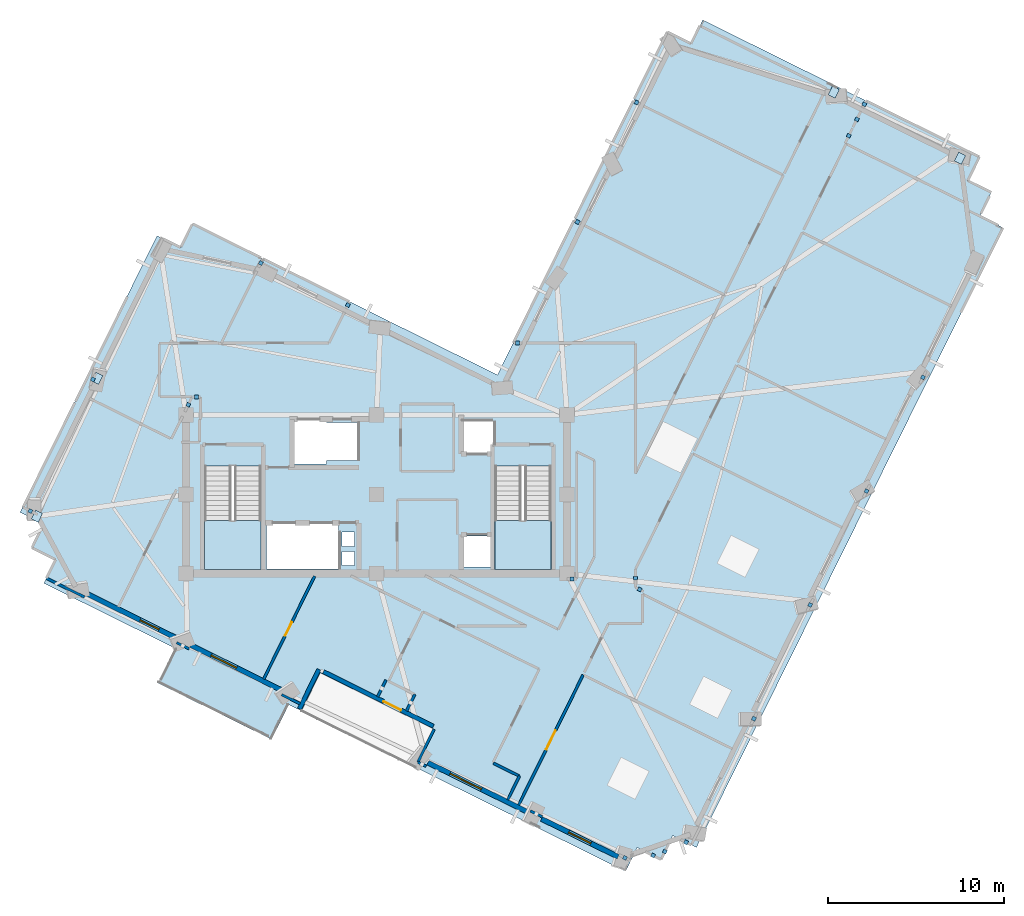
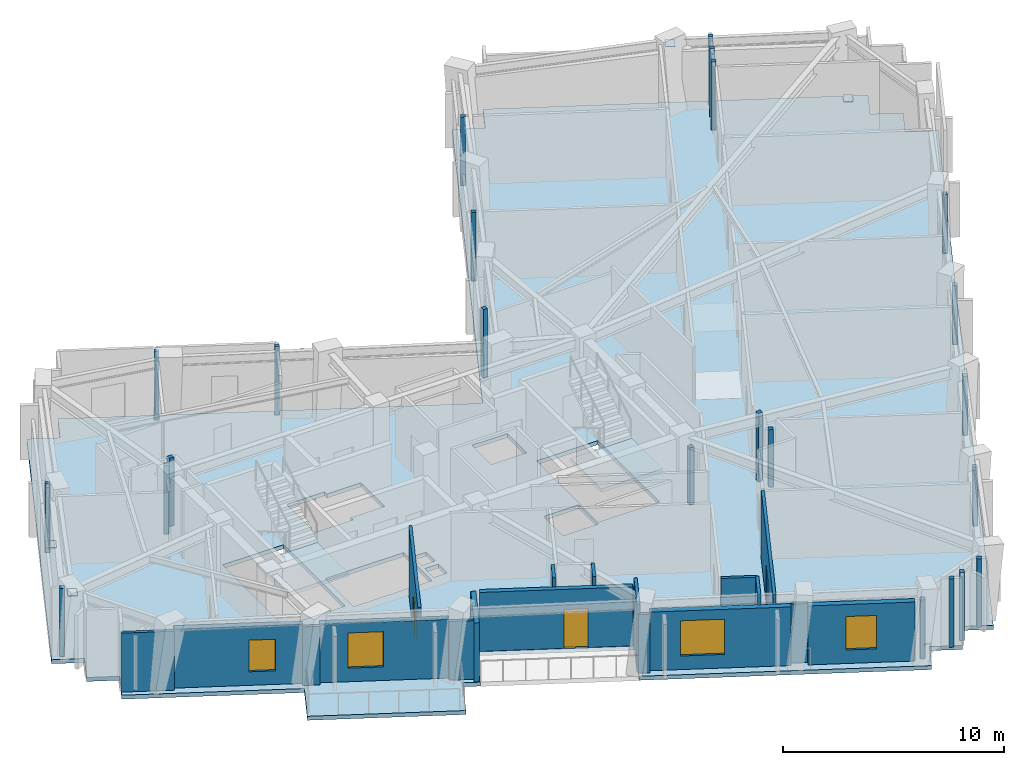
# One storey, part 3 of 11: 27 plates, 18 walls, 4 windows, 3 doors, 3 slabs, 7 openings, 2 elements without a shape of their own.
"""IFC4 building model written with IfcOpenShell, lengths in metres."""

from ifc_helpers import new_model, si_unit, direction, frame, frame_2d, origin, origin_2d, place, context, subcontext, project, spatial, polyline, rectangle, outline, extrude, material, layer, layer_set, type_object, element, fill, aggregate, save


model = new_model("IFC4")

# Units and contexts
model_context = context("Model", 3, precision=1e-05, world=origin(), true_north=direction((0.0, 1.0)))
body_context = subcontext(model_context, "Body", "Model", "MODEL_VIEW")
ifc_project = project(units=[si_unit("LENGTHUNIT", "METRE"), si_unit("AREAUNIT", "SQUARE_METRE"), si_unit("VOLUMEUNIT", "CUBIC_METRE"), si_unit("PLANEANGLEUNIT", "RADIAN"), si_unit("MASSUNIT", "GRAM", prefix="KILO")], contexts=[model_context])

# Site, building, storey
site_placement = place(None, origin())
site = spatial("IfcSite", under=ifc_project, at=site_placement, CompositionType="ELEMENT")
building_placement = place(site_placement, origin())
building = spatial("IfcBuilding", under=site, at=building_placement, Name="Gaonmaruhae Medical Tower", CompositionType="ELEMENT")
storey_placement = place(building_placement, frame((0.0, 0.0, 296.60009765625)))
storey = spatial("IfcBuildingStorey", under=building, at=storey_placement, Name="L71", CompositionType="ELEMENT", Elevation=296.60009765625)

# Slab
ifc_material_1 = material(Name="Concrete C40/50", Category="concrete")
ifc_layer_1 = layer(ifc_material_1, 0.219970703125)
ifc_layer_set_1 = layer_set([ifc_layer_1], Name="Concrete C40/50")
slab_type_1 = type_object("IfcSlabType", Name="FS-220 Clinical Ward Composite Floor Slab", PredefinedType="FLOOR", material=ifc_layer_set_1)
slab_1_placement = place(storey_placement, frame((0.0, 0.0, -0.22021484375)))
element("IfcSlab", 1, at=slab_1_placement, inside=storey, type_object=slab_type_1, Name="L71 Structural Slab 1", PredefinedType="FLOOR", context=body_context, shape_type="SweptSolid", body=[
    extrude(outline(polyline([(6.604248046875, 8.598876953125), (5.260009765625, 9.2646484375), (5.92578125, 10.60888671875), (4.581787109375, 11.274658203125), (12.34912109375, 26.956298828125), (13.693359375, 26.29052734375), (14.35888671875, 27.634765625), (31.65380859375, 19.068359375), (41.285400390625, 38.513671875), (42.62939453125, 37.847900390625), (43.29541015625, 39.19189453125), (58.97705078125, 31.424560546875), (58.311279296875, 30.08056640625), (59.655517578125, 29.414794921875), (58.989501953125, 28.070556640625), (60.333740234375, 27.40478515625), (42.934814453125, -7.722412109375), (41.590576171875, -7.056640625), (40.9248046875, -8.400634765625), (39.580810546875, -7.73486328125), (38.914794921875, -9.0791015625), (26.996826171875, -3.17578125), (28.06201171875, -1.025146484375), (21.610107421875, 2.170654296875), (20.544921875, 0.02001953125), (19.827880859375, 0.375), (18.8515625, -1.596435546875), (12.399658203125, 1.599365234375), (13.3759765625, 3.57080078125), (5.9384765625, 7.254638671875), (6.604248046875, 8.598876953125)]), holes=[polyline([(23.550048828125, 8.25), (22.85009765625, 8.25), (22.85009765625, 9.050048828125), (23.550048828125, 9.050048828125), (23.550048828125, 8.25)]), polyline([(29.574951171875, 9.925048828125), (31.425048828125, 9.925048828125), (31.425048828125, 8.175048828125), (29.574951171875, 8.175048828125), (29.574951171875, 9.925048828125)]), polyline([(18.550048828125, 10.625), (22.64990234375, 10.625), (22.64990234375, 8.074951171875), (18.550048828125, 8.074951171875), (18.550048828125, 10.625)]), polyline([(23.550048828125, 9.35009765625), (22.85009765625, 9.35009765625), (22.85009765625, 10.14990234375), (23.550048828125, 10.14990234375), (23.550048828125, 9.35009765625)]), polyline([(15.050048828125, 13.889892578125), (18.25, 13.889892578125), (18.25, 8.300048828125), (15.050048828125, 8.300048828125), (15.050048828125, 13.889892578125)]), polyline([(31.5, 13.889892578125), (34.699951171875, 13.889892578125), (34.699951171875, 8.300048828125), (31.5, 8.300048828125), (31.5, 13.889892578125)]), polyline([(23.72509765625, 14.22509765625), (21.949951171875, 14.22509765625), (21.949951171875, 14.02490234375), (19.949951171875, 14.02490234375), (19.949951171875, 16.574951171875), (21.949951171875, 16.574951171875), (21.949951171875, 16.375), (23.72509765625, 16.375), (23.72509765625, 14.22509765625)]), polyline([(31.425048828125, 16.425048828125), (31.425048828125, 14.675048828125), (29.574951171875, 14.675048828125), (29.574951171875, 16.425048828125), (31.425048828125, 16.425048828125)])]), origin(), (0.0, 0.0, 1.0), 0.22021484375),
])

# Plates
ifc_material_2 = material(Name="Steel HSA650 (650 MPa)", Category="steel")
ifc_layer_2 = layer(ifc_material_2, 0.028076171875)
ifc_layer_set_2 = layer_set([ifc_layer_2], Name="Steel HSA650 (650 MPa)")
plate_type_1 = type_object("IfcPlateType", Name="GP-02 Tube Brace End Cap Gusset Plate", PredefinedType="USERDEFINED", material=ifc_layer_set_2)
for number, where, z_axis, x_axis, name in (
    (2, (57.881591796875, 31.353515625, 0.23583984375), (0.0, 0.0, 1.0), (0.443853354011, 0.896099436521, 0.0), "L71 Gusset Cap Plate PLT-L71-PBR-E01A"),
    (3, (50.7236328125, 35.100830078125, 3.515625), (0.0, 0.0, 1.0), (0.428935133403, 0.903335292863, 0.0), "L71 Gusset Cap Plate PLT-L71-PBR-E01B"),
    (4, (8.958251953125, 18.871337890625, 0.23583984375), (0.0, 0.0, 1.0), (0.443853354011, 0.896099436521, 0.0), "L71 Gusset Cap Plate PLT-L71-PBR-N02A"),
    (5, (5.542724609375, 11.05615234375, 3.515625), (0.0, 0.0, 1.0), (0.428935133403, 0.903335292863, 0.0), "L71 Gusset Cap Plate PLT-L71-PBR-N02B"),
):
    element("IfcPlate", number, at=place(storey_placement, frame(where, z_axis=z_axis, x_axis=x_axis)), inside=storey, type_object=plate_type_1, Name=name, ObjectType="GUSSET_PLATE", PredefinedType="USERDEFINED", context=body_context, shape_type="SweptSolid", body=[
        extrude(rectangle(XDim=0.56005859375, YDim=0.43994140625, at=origin_2d()), origin(), (0.0, 0.0, 1.0), 0.028076171875),
    ])
ifc_material_3 = material(Name="Anodised aluminium 6063-T6", Category="aluminium")
ifc_layer_3 = layer(ifc_material_3, 0.011962890625)
ifc_layer_set_3 = layer_set([ifc_layer_3], Name="Anodised aluminium 6063-T6")
plate_type_2 = type_object("IfcPlateType", Name="PP-01 Interior Partition Corner Stiffener Plate", PredefinedType="SHEET", material=ifc_layer_set_3)
plate_1_placement = place(storey_placement, frame((40.482421875, -8.181396484375, 0.0), z_axis=(0.0, 0.0, 1.0), x_axis=(-0.895843646724, 0.444369396588, 0.0)))
element("IfcPlate", 6, at=plate_1_placement, inside=storey, type_object=plate_type_2, Name="L71 Partition Corner Stiffener Plate PLT-L71-JGP-PW008", PredefinedType="SHEET", context=body_context, shape_type="SweptSolid", body=[
    extrude(rectangle(XDim=0.219970703125, YDim=0.219970703125, at=origin_2d()), origin(), (0.0, 0.0, 1.0), 3.780029296875),
])
plate_2_placement = place(storey_placement, frame((38.884033203125, -8.310546875, 0.0), z_axis=(0.0, 0.0, 1.0), x_axis=(-0.896052951393, 0.443947190891, 0.0)))
element("IfcPlate", 7, at=plate_2_placement, inside=storey, type_object=plate_type_2, Name="L71 Partition Corner Stiffener Plate PLT-L71-JGP-PW009", PredefinedType="SHEET", context=body_context, shape_type="SweptSolid", body=[
    extrude(rectangle(XDim=0.219970703125, YDim=0.219970703125, at=origin_2d()), origin(), (0.0, 0.0, 1.0), 3.264892578125),
])
for number, where, z_axis, x_axis, name in (
    (8, (42.34912109375, -7.431884765625, 0.0), (0.0, 0.0, 1.0), (-0.896215606347, 0.44361874052, 0.0), "L71 Partition Corner Stiffener Plate PLT-L71-JGP-PW014"),
    (9, (41.14453125, -7.95849609375, 0.0), (0.0, 0.0, 1.0), (-0.444369396588, -0.895843646724, 0.0), "L71 Partition Corner Stiffener Plate PLT-L71-JGP-PW015"),
):
    element("IfcPlate", number, at=place(storey_placement, frame(where, z_axis=z_axis, x_axis=x_axis)), inside=storey, type_object=plate_type_2, Name=name, PredefinedType="SHEET", context=body_context, shape_type="SweptSolid", body=[
        extrude(rectangle(XDim=0.219970703125, YDim=0.219970703125, at=origin_2d()), origin(), (0.0, 0.0, 1.0), 3.780029296875),
    ])
for number, where, z_axis, x_axis, name in (
    (10, (46.19189453125, -0.424072265625, 0.0), (0.0, 0.0, 1.0), (-0.443978468769, -0.896037454167, 0.0), "L71 Partition Corner Stiffener Plate PLT-L71-JGP-PW018"),
    (11, (49.387451171875, 6.027587890625, 0.0), (0.0, 0.0, 1.0), (-0.443603098539, -0.896223348818, 0.0), "L71 Partition Corner Stiffener Plate PLT-L71-JGP-PW022"),
):
    element("IfcPlate", number, at=place(storey_placement, frame(where, z_axis=z_axis, x_axis=x_axis)), inside=storey, type_object=plate_type_2, Name=name, PredefinedType="SHEET", context=body_context, shape_type="SweptSolid", body=[
        extrude(rectangle(XDim=0.219970703125, YDim=0.219970703125, at=origin_2d()), origin(), (0.0, 0.0, 1.0), 3.264892578125),
    ])
plate_3_placement = place(storey_placement, frame((39.715576171875, 6.901611328125, 0.0), z_axis=(0.0, 0.0, 1.0), x_axis=(-0.896323976099, 0.443399740495, 0.0)))
element("IfcPlate", 12, at=plate_3_placement, inside=storey, type_object=plate_type_2, Name="L71 Partition Corner Stiffener Plate PLT-L71-JGP-PW023", PredefinedType="SHEET", context=body_context, shape_type="SweptSolid", body=[
    extrude(rectangle(XDim=0.219970703125, YDim=0.219970703125, at=origin_2d()), origin(), (0.0, 0.0, 1.0), 3.1650390625),
])
plate_4_placement = place(storey_placement, frame((39.47998046875, 7.5380859375, 0.0), z_axis=(0.0, 0.0, 1.0), x_axis=(0.0, 1.0, 0.0)))
element("IfcPlate", 13, at=plate_4_placement, inside=storey, type_object=plate_type_2, Name="L71 Partition Corner Stiffener Plate PLT-L71-JGP-PW024", PredefinedType="SHEET", context=body_context, shape_type="SweptSolid", body=[
    extrude(rectangle(XDim=0.219970703125, YDim=0.219970703125, at=origin_2d()), origin(), (0.0, 0.0, 1.0), 3.780029296875),
])
for number, where, z_axis, x_axis, name in (
    (14, (52.58349609375, 12.478515625, 0.0), (0.0, 0.0, 1.0), (-0.444697710579, -0.895680716665, 0.0), "L71 Partition Corner Stiffener Plate PLT-L71-JGP-PW028"),
    (15, (55.779052734375, 18.929931640625, 0.0), (0.0, 0.0, 1.0), (-0.444181761789, -0.895936695584, 0.0), "L71 Partition Corner Stiffener Plate PLT-L71-JGP-PW031"),
):
    element("IfcPlate", number, at=place(storey_placement, frame(where, z_axis=z_axis, x_axis=x_axis)), inside=storey, type_object=plate_type_2, Name=name, PredefinedType="SHEET", context=body_context, shape_type="SweptSolid", body=[
        extrude(rectangle(XDim=0.219970703125, YDim=0.219970703125, at=origin_2d()), origin(), (0.0, 0.0, 1.0), 3.264892578125),
    ])
plate_5_placement = place(storey_placement, frame((35.875, 7.5, 0.0), z_axis=(0.0, 0.0, 1.0), x_axis=(1.0, 0.0, 0.0)))
element("IfcPlate", 16, at=plate_5_placement, inside=storey, type_object=plate_type_2, Name="L71 Partition Corner Stiffener Plate PLT-L71-JGP-PW058", PredefinedType="SHEET", context=body_context, shape_type="SweptSolid", body=[
    extrude(rectangle(XDim=0.219970703125, YDim=0.219970703125, at=origin_2d()), origin(), (0.0, 0.0, 1.0), 3.1650390625),
])
for number, where, z_axis, x_axis, name in (
    (17, (32.7939453125, 20.8798828125, 0.0), (0.0, 0.0, 1.0), (-1.0, 0.0, 0.0), "L71 Partition Corner Stiffener Plate PLT-L71-JGP-PW065"),
    (18, (36.19091796875, 27.738525390625, 0.0), (0.0, 0.0, 1.0), (0.896254315973, -0.443540529265, 0.0), "L71 Partition Corner Stiffener Plate PLT-L71-JGP-PW067"),
    (19, (39.5458984375, 34.512451171875, 0.0), (0.0, 0.0, 1.0), (0.896254315973, -0.443540529265, 0.0), "L71 Partition Corner Stiffener Plate PLT-L71-JGP-PW073"),
    (20, (18.235107421875, 25.41162109375, 0.0), (0.0, 0.0, 1.0), (0.445010335031, 0.895525433316, 0.0), "L71 Partition Corner Stiffener Plate PLT-L71-JGP-PW081"),
    (21, (23.16943359375, 23.028076171875, 0.0), (0.0, 0.0, 1.0), (-0.443540529265, -0.896254315973, 0.0), "L71 Partition Corner Stiffener Plate PLT-L71-JGP-PW083"),
    (22, (14.1220703125, 17.3779296875, 0.0), (0.0, 0.0, 1.0), (-0.443556171786, -0.896246574593, 0.0), "L71 Partition Corner Stiffener Plate PLT-L71-JGP-PW090"),
    (23, (8.717041015625, 18.81201171875, 0.0), (0.0, 0.0, 1.0), (0.443994107505, 0.896029705144, 0.0), "L71 Partition Corner Stiffener Plate PLT-L71-JGP-PW093"),
    (24, (5.16943359375, 11.3515625, 0.0), (0.0, 0.0, 1.0), (-0.895936695584, 0.444181761789, 0.0), "L71 Partition Corner Stiffener Plate PLT-L71-JGP-PW101"),
    (25, (14.590576171875, 17.820068359375, 0.0), (0.0, 0.0, 1.0), (1.0, 0.0, 0.0), "L71 Partition Corner Stiffener Plate PLT-L71-JGP-PW105"),
    (26, (51.572021484375, 32.62890625, 0.0), (0.0, 0.0, 1.0), (0.443853354011, 0.896099436521, 0.0), "L71 Partition Corner Stiffener Plate PLT-L71-JGP-PW108"),
    (27, (52.033935546875, 33.56103515625, 0.0), (0.0, 0.0, 1.0), (0.444025384572, 0.89601420628, 0.0), "L71 Partition Corner Stiffener Plate PLT-L71-JGP-PW112"),
    (28, (52.45556640625, 34.412109375, 0.0), (0.0, 0.0, 1.0), (0.443540529265, 0.896254315973, 0.0), "L71 Partition Corner Stiffener Plate PLT-L71-JGP-PW113"),
):
    element("IfcPlate", number, at=place(storey_placement, frame(where, z_axis=z_axis, x_axis=x_axis)), inside=storey, type_object=plate_type_2, Name=name, PredefinedType="SHEET", context=body_context, shape_type="SweptSolid", body=[
        extrude(rectangle(XDim=0.219970703125, YDim=0.219970703125, at=origin_2d()), origin(), (0.0, 0.0, 1.0), 3.780029296875),
    ])

# Stair, slab
stair_type = type_object("IfcStairType", Name="ST-T1 Primary Core Escape Dogleg Stair", PredefinedType="TWO_QUARTER_TURN_STAIR", material=ifc_material_1)
stair_1_placement = place(storey_placement, origin())
stair_1 = element("IfcStair", 29, at=stair_1_placement, inside=storey, type_object=stair_type, Name="L71 Protected Escape Stair ST-01", PredefinedType="TWO_QUARTER_TURN_STAIR")
ifc_layer_4 = layer(ifc_material_1, 0.199951171875)
ifc_layer_set_4 = layer_set([ifc_layer_4], Name="Concrete C40/50")
slab_type_2 = type_object("IfcSlabType", Name="SL-200 Stair & Ramp Intermediate Concrete Landing", PredefinedType="LANDING", material=ifc_layer_set_4)
slab_2_placement = place(storey_placement, frame((0.0, 0.0, 1.7998046875)))
slab_2 = element("IfcSlab", 30, at=slab_2_placement, type_object=slab_type_2, Name="ST-01 landing 1", PredefinedType="LANDING", context=body_context, shape_type="SweptSolid", body=[
    extrude(outline(polyline([(15.050048828125, 10.820068359375), (15.050048828125, 8.029052734375), (18.25, 8.029052734375), (18.25, 10.820068359375), (15.050048828125, 10.820068359375)])), origin(), (0.0, 0.0, 1.0), 0.2001953125),
])
aggregate(stair_1, [slab_2])

stair_2_placement = place(storey_placement, origin())
stair_2 = element("IfcStair", 31, at=stair_2_placement, inside=storey, type_object=stair_type, Name="L71 Protected Escape Stair ST-02", PredefinedType="TWO_QUARTER_TURN_STAIR")
slab_3_placement = place(storey_placement, frame((0.0, 0.0, 1.7998046875)))
slab_3 = element("IfcSlab", 32, at=slab_3_placement, type_object=slab_type_2, Name="ST-02 landing 1", PredefinedType="LANDING", context=body_context, shape_type="SweptSolid", body=[
    extrude(outline(polyline([(31.5, 10.820068359375), (31.5, 8.029052734375), (34.699951171875, 8.029052734375), (34.699951171875, 10.820068359375), (31.5, 10.820068359375)])), origin(), (0.0, 0.0, 1.0), 0.2001953125),
])
aggregate(stair_2, [slab_3])

# Wall, opening, door
ifc_material_4 = material(Name="Precast concrete C45/55", Category="concrete")
ifc_layer_5 = layer(ifc_material_4, 0.239990234375)
ifc_layer_set_5 = layer_set([ifc_layer_5], Name="Precast concrete C45/55")
wall_type_1 = type_object("IfcWallType", Name="EW-240 Ribbon & Shelter Insulated Precast Wall", PredefinedType="SOLIDWALL", material=ifc_layer_set_5)
wall_1_placement = place(storey_placement, frame((28.0166015625, -0.846435546875, 0.0), z_axis=(0.0, 0.0, 1.0), x_axis=(-0.89610459949, 0.443842930296, 0.0)))
wall_1 = element("IfcWall", 33, at=wall_1_placement, inside=storey, type_object=wall_type_1, Name="L71 Recessed Terrace Enclosure Wall TERB", PredefinedType="SOLIDWALL", context=body_context, shape_type="SweptSolid", body=[
    extrude(rectangle(XDim=6.9599609375, YDim=0.239990234375, at=frame_2d((3.47998046875, 0.0))), origin(), (0.0, 0.0, 1.0), 3.264892578125),
])
opening_1_placement = place(wall_1_placement, frame((2.040283203125, 0.0, 0.0)))
opening_1 = element("IfcOpeningElement", 34, at=opening_1_placement, cuts=wall_1, Name="Opening TD-01", PredefinedType="OPENING", context=body_context, shape_type="SweptSolid", body=[
    extrude(rectangle(XDim=1.10009765625, YDim=2.14990234375, at=frame_2d((0.550048828125, 1.074951171875))), frame((0.0, 0.1298828125, 0.0), z_axis=(0.0, -1.0, 0.0), x_axis=(1.0, 0.0, 0.0)), (0.0, 0.0, 1.0), 0.260009765625),
])
ifc_material_5 = material(Name="Anodised aluminium and toughened safety glass", Category="aluminium")
door_type_1 = type_object("IfcDoorType", Name="TD-01 Terrace & Sky Garden Glazed Door 1100x2150", OperationType="NOTDEFINED", PredefinedType="DOOR", material=ifc_material_5)
door_1_placement = place(opening_1_placement, origin())
door_1 = element("IfcDoor", 35, at=door_1_placement, inside=storey, type_object=door_type_1, Name="L71 Outdoor Terrace Access Door SLB-L71-TER", OperationType="SINGLE_SWING_RIGHT", OverallHeight=2.14990234375, OverallWidth=1.10009765625, PredefinedType="DOOR", context=body_context, shape_type="SweptSolid", body=[
    extrude(rectangle(XDim=1.10009765625, YDim=2.14990234375, at=frame_2d((0.550048828125, 1.074951171875))), frame((0.0, 0.02490234375, 0.0), z_axis=(0.0, -1.0, 0.0), x_axis=(1.0, 0.0, 0.0)), (0.0, 0.0, 1.0), 0.050048828125),
])
fill(opening_1, door_1)

# Wall
wall_2_placement = place(storey_placement, frame((21.52880859375, 2.366943359375, 0.0), z_axis=(0.0, 0.0, 1.0), x_axis=(-0.443851040461, -0.896100582458, 0.0)))
element("IfcWall", 36, at=wall_2_placement, inside=storey, type_object=wall_type_1, Name="L71 Recessed Terrace Enclosure Wall TERR", PredefinedType="SOLIDWALL", context=body_context, shape_type="SweptSolid", body=[
    extrude(rectangle(XDim=2.5, YDim=0.239990234375, at=frame_2d((1.25, 0.0))), origin(), (0.0, 0.0, 1.0), 3.264892578125),
])

# Wall, opening, window
ifc_layer_6 = layer(ifc_material_4, 0.280029296875)
ifc_layer_set_6 = layer_set([ifc_layer_6], Name="Precast concrete C45/55")
wall_type_2 = type_object("IfcWallType", Name="EW-280 Upper Precast Masonry-Frame Facade Wall", PredefinedType="SOLIDWALL", material=ifc_layer_set_6)
wall_3_placement = place(storey_placement, frame((13.5634765625, 4.091796875, 0.0), z_axis=(0.0, 0.0, 1.0), x_axis=(-0.896112517924, 0.443826942873, 0.0)))
wall_3 = element("IfcWall", 37, at=wall_3_placement, inside=storey, type_object=wall_type_2, Name="L71 Precast Masonry-Frame Wall W01-W02", PredefinedType="SOLIDWALL", context=body_context, shape_type="SweptSolid", body=[
    extrude(rectangle(XDim=5.830322265625, YDim=0.280029296875, at=frame_2d((2.9150390625, 0.0))), origin(), (0.0, 0.0, 1.0), 3.264892578125),
])
opening_2_placement = place(wall_3_placement, frame((1.2275390625, 0.0, 0.75)))
opening_2 = element("IfcOpeningElement", 38, at=opening_2_placement, cuts=wall_3, Name="Opening WN-05", PredefinedType="OPENING", context=body_context, shape_type="SweptSolid", body=[
    extrude(rectangle(XDim=1.199951171875, YDim=1.75, at=frame_2d((0.60009765625, 0.875))), frame((0.0, 0.14990234375, 0.0), z_axis=(0.0, -1.0, 0.0), x_axis=(1.0, 0.0, 0.0)), (0.0, 0.0, 1.0), 0.300048828125),
])
ifc_material_6 = material(Name="Anodised aluminium and Low-E double glazing", Category="aluminium")
window_type_1 = type_object("IfcWindowType", Name="WN-05 Support & Staff Punched Window 1200x1750", PartitioningType="SINGLE_PANEL", PredefinedType="WINDOW", material=ifc_material_6)
window_1_placement = place(opening_2_placement, origin())
window_1 = element("IfcWindow", 39, at=window_1_placement, inside=storey, type_object=window_type_1, Name="L71 Modular Facade Window W01", OverallHeight=1.75, OverallWidth=1.199951171875, PartitioningType="SINGLE_PANEL", PredefinedType="WINDOW", context=body_context, shape_type="SweptSolid", body=[
    extrude(rectangle(XDim=1.199951171875, YDim=1.75, at=frame_2d((0.60009765625, 0.875))), frame((0.0, 0.030029296875, 0.0), z_axis=(0.0, -1.0, 0.0), x_axis=(1.0, 0.0, 0.0)), (0.0, 0.0, 1.0), 0.06005859375),
])
fill(opening_2, window_1)

wall_4_placement = place(storey_placement, frame((19.516845703125, 1.142822265625, 0.0), z_axis=(0.0, 0.0, 1.0), x_axis=(-0.896103760266, 0.443844624658, 0.0)))
wall_4 = element("IfcWall", 40, at=wall_4_placement, inside=storey, type_object=wall_type_2, Name="L71 Precast Masonry-Frame Wall W02-W03", PredefinedType="SOLIDWALL", context=body_context, shape_type="SweptSolid", body=[
    extrude(rectangle(XDim=5.86083984375, YDim=0.280029296875, at=frame_2d((2.930419921875, 0.0))), origin(), (0.0, 0.0, 1.0), 3.244873046875),
])
opening_3_placement = place(wall_4_placement, frame((2.966552734375, 0.0, 0.75)))
opening_3 = element("IfcOpeningElement", 41, at=opening_3_placement, cuts=wall_4, Name="Opening WN-01", PredefinedType="OPENING", context=body_context, shape_type="SweptSolid", body=[
    extrude(rectangle(XDim=1.60009765625, YDim=1.949951171875, at=frame_2d((0.800048828125, 0.97509765625))), frame((0.0, 0.14990234375, 0.0), z_axis=(0.0, -1.0, 0.0), x_axis=(1.0, 0.0, 0.0)), (0.0, 0.0, 1.0), 0.300048828125),
])
window_type_2 = type_object("IfcWindowType", Name="WN-01 Ward Punched Acoustic Window 1600x1950", PartitioningType="SINGLE_PANEL", PredefinedType="WINDOW", material=ifc_material_6)
window_2_placement = place(opening_3_placement, origin())
window_2 = element("IfcWindow", 42, at=window_2_placement, inside=storey, type_object=window_type_2, Name="L71 Modular Facade Window W02", OverallHeight=1.949951171875, OverallWidth=1.60009765625, PartitioningType="SINGLE_PANEL", PredefinedType="WINDOW", context=body_context, shape_type="SweptSolid", body=[
    extrude(rectangle(XDim=1.60009765625, YDim=1.949951171875, at=frame_2d((0.800048828125, 0.97509765625))), frame((0.0, 0.030029296875, 0.0), z_axis=(0.0, -1.0, 0.0), x_axis=(1.0, 0.0, 0.0)), (0.0, 0.0, 1.0), 0.06005859375),
])
fill(opening_3, window_2)

wall_5_placement = place(storey_placement, frame((33.465087890625, -5.76611328125, 0.0), z_axis=(0.0, 0.0, 1.0), x_axis=(-0.896100383169, 0.44385144281, 0.0)))
wall_5 = element("IfcWall", 43, at=wall_5_placement, inside=storey, type_object=wall_type_2, Name="L71 Precast Masonry-Frame Wall W04-W05", PredefinedType="SOLIDWALL", context=body_context, shape_type="SweptSolid", body=[
    extrude(rectangle(XDim=6.425048828125, YDim=0.280029296875, at=frame_2d((3.21240234375, 0.0))), origin(), (0.0, 0.0, 1.0), 3.244873046875),
])
opening_4_placement = place(wall_5_placement, frame((3.031982421875, 0.0, 0.75)))
opening_4 = element("IfcOpeningElement", 44, at=opening_4_placement, cuts=wall_5, Name="Opening WN-02", PredefinedType="OPENING", context=body_context, shape_type="SweptSolid", body=[
    extrude(rectangle(XDim=2.0, YDim=1.949951171875, at=frame_2d((1.0, 0.97509765625))), frame((0.0, 0.14990234375, 0.0), z_axis=(0.0, -1.0, 0.0), x_axis=(1.0, 0.0, 0.0)), (0.0, 0.0, 1.0), 0.300048828125),
])
window_type_3 = type_object("IfcWindowType", Name="WN-02 Double-Bed Ward Punched Window 2000x1950", PartitioningType="SINGLE_PANEL", PredefinedType="WINDOW", material=ifc_material_6)
window_3_placement = place(opening_4_placement, origin())
window_3 = element("IfcWindow", 45, at=window_3_placement, inside=storey, type_object=window_type_3, Name="L71 Modular Facade Window W04", OverallHeight=1.949951171875, OverallWidth=2.0, PartitioningType="SINGLE_PANEL", PredefinedType="WINDOW", context=body_context, shape_type="SweptSolid", body=[
    extrude(rectangle(XDim=2.0, YDim=1.949951171875, at=frame_2d((1.0, 0.97509765625))), frame((0.0, 0.030029296875, 0.0), z_axis=(0.0, -1.0, 0.0), x_axis=(1.0, 0.0, 0.0)), (0.0, 0.0, 1.0), 0.06005859375),
])
fill(opening_4, window_3)

wall_6_placement = place(storey_placement, frame((38.498291015625, -8.259033203125, 0.0), z_axis=(0.0, 0.0, 1.0), x_axis=(-0.896100349247, 0.443851511296, 0.0)))
wall_6 = element("IfcWall", 46, at=wall_6_placement, inside=storey, type_object=wall_type_2, Name="L71 Precast Masonry-Frame Wall W05-W06", PredefinedType="SOLIDWALL", context=body_context, shape_type="SweptSolid", body=[
    extrude(rectangle(XDim=4.855224609375, YDim=0.280029296875, at=frame_2d((2.427734375, 0.0))), origin(), (0.0, 0.0, 1.0), 3.264892578125),
])
opening_5_placement = place(wall_6_placement, frame((1.732666015625, 0.0, 0.75)))
opening_5 = element("IfcOpeningElement", 47, at=opening_5_placement, cuts=wall_6, Name="Opening WN-03", PredefinedType="OPENING", context=body_context, shape_type="SweptSolid", body=[
    extrude(rectangle(XDim=1.39990234375, YDim=1.85009765625, at=frame_2d((0.699951171875, 0.925048828125))), frame((0.0, 0.14990234375, 0.0), z_axis=(0.0, -1.0, 0.0), x_axis=(1.0, 0.0, 0.0)), (0.0, 0.0, 1.0), 0.300048828125),
])
window_type_4 = type_object("IfcWindowType", Name="WN-03 Isolation Ward Punched Window 1400x1850", PartitioningType="SINGLE_PANEL", PredefinedType="WINDOW", material=ifc_material_6)
window_4_placement = place(opening_5_placement, origin())
window_4 = element("IfcWindow", 48, at=window_4_placement, inside=storey, type_object=window_type_4, Name="L71 Modular Facade Window W05", OverallHeight=1.85009765625, OverallWidth=1.39990234375, PartitioningType="SINGLE_PANEL", PredefinedType="WINDOW", context=body_context, shape_type="SweptSolid", body=[
    extrude(rectangle(XDim=1.39990234375, YDim=1.85009765625, at=frame_2d((0.699951171875, 0.925048828125))), frame((0.0, 0.030029296875, 0.0), z_axis=(0.0, -1.0, 0.0), x_axis=(1.0, 0.0, 0.0)), (0.0, 0.0, 1.0), 0.06005859375),
])
fill(opening_5, window_4)

# Wall
ifc_material_7 = material(Name="Gypsum board partition", Category="gypsum")
ifc_layer_7 = layer(ifc_material_7, 0.14990234375)
ifc_layer_set_7 = layer_set([ifc_layer_7], Name="Gypsum board partition")
wall_type_3 = type_object("IfcWallType", Name="PW-150 Rated Clinical Corridor Partition", PredefinedType="PARTITIONING", material=ifc_layer_set_7)
wall_7_placement = place(storey_placement, frame((34.202880859375, -5.991943359375, 0.0), z_axis=(0.0, 0.0, 1.0), x_axis=(-0.896025493253, 0.44400260747, 0.0)))
element("IfcWall", 49, at=wall_7_placement, inside=storey, type_object=wall_type_3, Name="L71 Interior Partition L71-SUP01-10", PredefinedType="PARTITIONING", context=body_context, shape_type="SweptSolid", body=[
    extrude(rectangle(XDim=0.760986328125, YDim=0.14990234375, at=frame_2d((0.38037109375, 0.0))), origin(), (0.0, 0.0, 1.0), 3.264892578125),
])

# Wall, opening, door
wall_8_placement = place(storey_placement, frame((32.85205078125, -5.322998046875, 0.0), z_axis=(0.0, 0.0, 1.0), x_axis=(0.443904145744, 0.896074276716, 0.0)))
wall_8 = element("IfcWall", 50, at=wall_8_placement, inside=storey, type_object=wall_type_3, Name="L71 Interior Partition L71-SUP01-11", PredefinedType="PARTITIONING", context=body_context, shape_type="SweptSolid", body=[
    extrude(rectangle(XDim=8.240478515625, YDim=0.14990234375, at=frame_2d((4.1201171875, 0.0))), origin(), (0.0, 0.0, 1.0), 3.77978515625),
])
opening_6_placement = place(wall_8_placement, frame((3.520263671875, 0.0, 0.0)))
opening_6 = element("IfcOpeningElement", 51, at=opening_6_placement, cuts=wall_8, Name="Opening CD-02", PredefinedType="OPENING", context=body_context, shape_type="SweptSolid", body=[
    extrude(rectangle(XDim=1.199951171875, YDim=2.14990234375, at=frame_2d((0.60009765625, 1.074951171875))), frame((0.0, 0.0849609375, 0.0), z_axis=(0.0, -1.0, 0.0), x_axis=(1.0, 0.0, 0.0)), (0.0, 0.0, 1.0), 0.169921875),
])
ifc_material_8 = material(Name="Antimicrobial laminate timber fire door", Category="wood")
door_type_2 = type_object("IfcDoorType", Name="CD-02 Clinical Treatment & Procedure Door 1200x2150", OperationType="NOTDEFINED", PredefinedType="DOOR", material=ifc_material_8)
door_2_placement = place(opening_6_placement, origin())
door_2 = element("IfcDoor", 52, at=door_2_placement, inside=storey, type_object=door_type_2, Name="L71 Clinical Biomedical Charting Office Door", OperationType="SINGLE_SWING_RIGHT", OverallHeight=2.14990234375, OverallWidth=1.199951171875, PredefinedType="DOOR", context=body_context, shape_type="SweptSolid", body=[
    extrude(rectangle(XDim=1.199951171875, YDim=2.14990234375, at=frame_2d((0.60009765625, 1.074951171875))), frame((0.0, 0.02490234375, 0.0), z_axis=(0.0, -1.0, 0.0), x_axis=(1.0, 0.0, 0.0)), (0.0, 0.0, 1.0), 0.050048828125),
])
fill(opening_6, door_2)

# Walls
wall_9_placement = place(storey_placement, frame((31.4189453125, -2.945068359375, 0.0), z_axis=(0.0, 0.0, 1.0), x_axis=(0.896278411632, -0.443491836274, 0.0)))
element("IfcWall", 53, at=wall_9_placement, inside=storey, type_object=wall_type_3, Name="L71 Interior Partition L71-WOF07-37", PredefinedType="PARTITIONING", context=body_context, shape_type="SweptSolid", body=[
    extrude(rectangle(XDim=1.65478515625, YDim=0.14990234375, at=frame_2d((0.827392578125, 0.0))), origin(), (0.0, 0.0, 1.0), 3.77978515625),
])
wall_10_placement = place(storey_placement, frame((32.902099609375, -3.678955078125, 0.0), z_axis=(0.0, 0.0, 1.0), x_axis=(-0.443837445549, -0.896107316078, 0.0)))
element("IfcWall", 54, at=wall_10_placement, inside=storey, type_object=wall_type_3, Name="L71 Interior Partition L71-WOF07-38", PredefinedType="PARTITIONING", context=body_context, shape_type="SweptSolid", body=[
    extrude(rectangle(XDim=1.505615234375, YDim=0.14990234375, at=frame_2d((0.7529296875, 0.0))), origin(), (0.0, 0.0, 1.0), 3.77978515625),
])
wall_11_placement = place(storey_placement, frame((27.60595703125, -3.1201171875, 0.0), z_axis=(0.0, 0.0, 1.0), x_axis=(-0.896200324656, 0.44364961184, 0.0)))
element("IfcWall", 55, at=wall_11_placement, inside=storey, type_object=wall_type_3, Name="L71 Interior Partition L71-WOF07-39", PredefinedType="PARTITIONING", context=body_context, shape_type="SweptSolid", body=[
    extrude(rectangle(XDim=0.521240234375, YDim=0.14990234375, at=frame_2d((0.2607421875, 0.0))), origin(), (0.0, 0.0, 1.0), 3.244873046875),
])
wall_12_placement = place(storey_placement, frame((27.138916015625, -2.888916015625, 0.0), z_axis=(0.0, 0.0, 1.0), x_axis=(0.443783053647, 0.896134254058, 0.0)))
element("IfcWall", 56, at=wall_12_placement, inside=storey, type_object=wall_type_3, Name="L71 Interior Partition L71-WOF07-40", PredefinedType="PARTITIONING", context=body_context, shape_type="SweptSolid", body=[
    extrude(rectangle(XDim=2.080078125, YDim=0.14990234375, at=frame_2d((1.0400390625, 0.0))), origin(), (0.0, 0.0, 1.0), 3.77978515625),
])
wall_13_placement = place(storey_placement, frame((26.4990234375, 0.010986328125, 0.0), z_axis=(0.0, 0.0, 1.0), x_axis=(0.443784125016, 0.896133723494, 0.0)))
element("IfcWall", 57, at=wall_13_placement, inside=storey, type_object=wall_type_3, Name="L71 Interior Partition L71-WOF07-41", PredefinedType="PARTITIONING", context=body_context, shape_type="SweptSolid", body=[
    extrude(rectangle(XDim=1.0546875, YDim=0.14990234375, at=frame_2d((0.52734375, 0.0))), origin(), (0.0, 0.0, 1.0), 3.77978515625),
])
wall_14_placement = place(storey_placement, frame((25.3330078125, 1.76611328125, 0.0), z_axis=(0.0, 0.0, 1.0), x_axis=(-0.444527293858, -0.895765306883, 0.0)))
element("IfcWall", 58, at=wall_14_placement, inside=storey, type_object=wall_type_3, Name="L71 Interior Partition L71-WOF08-46", PredefinedType="PARTITIONING", context=body_context, shape_type="SweptSolid", body=[
    extrude(rectangle(XDim=1.054931640625, YDim=0.14990234375, at=frame_2d((0.52734375, 0.0))), origin(), (0.0, 0.0, 1.0), 3.77978515625),
])
wall_15_placement = place(storey_placement, frame((20.4580078125, 0.419921875, 0.0), z_axis=(0.0, 0.0, 1.0), x_axis=(-0.895932090446, 0.44419105046, 0.0)))
element("IfcWall", 59, at=wall_15_placement, inside=storey, type_object=wall_type_3, Name="L71 Interior Partition L71-WOF08-47", PredefinedType="PARTITIONING", context=body_context, shape_type="SweptSolid", body=[
    extrude(rectangle(XDim=1.1640625, YDim=0.14990234375, at=frame_2d((0.58203125, 0.0))), origin(), (0.0, 0.0, 1.0), 3.244873046875),
])

# Wall, opening, door
wall_16_placement = place(storey_placement, frame((18.39794921875, 1.824951171875, 0.0), z_axis=(0.0, 0.0, 1.0), x_axis=(0.443909549261, 0.89607159986, 0.0)))
wall_16 = element("IfcWall", 60, at=wall_16_placement, inside=storey, type_object=wall_type_3, Name="L71 Interior Partition L71-WOF08-48", PredefinedType="PARTITIONING", context=body_context, shape_type="SweptSolid", body=[
    extrude(rectangle(XDim=6.508544921875, YDim=0.14990234375, at=frame_2d((3.25439453125, 0.0))), origin(), (0.0, 0.0, 1.0), 3.77978515625),
])
opening_7_placement = place(wall_16_placement, frame((2.736572265625, 0.0, 0.0)))
opening_7 = element("IfcOpeningElement", 61, at=opening_7_placement, cuts=wall_16, Name="Opening AD-01", PredefinedType="OPENING", context=body_context, shape_type="SweptSolid", body=[
    extrude(rectangle(XDim=0.860107421875, YDim=2.06005859375, at=frame_2d((0.43017578125, 1.030029296875))), frame((0.0, 0.0849609375, 0.0), z_axis=(0.0, -1.0, 0.0), x_axis=(1.0, 0.0, 0.0)), (0.0, 0.0, 1.0), 0.169921875),
])
ifc_material_9 = material(Name="Powder-coated steel access door", Category="steel")
door_type_3 = type_object("IfcDoorType", Name="AD-01 Riser & Closet Access Fire Door 860x2060", OperationType="NOTDEFINED", PredefinedType="DOOR", material=ifc_material_9)
door_3_placement = place(opening_7_placement, origin())
door_3 = element("IfcDoor", 62, at=door_3_placement, inside=storey, type_object=door_type_3, Name="L71 Ward Physician Reporting Office Sliding Door", OperationType="SLIDING_TO_LEFT", OverallHeight=2.06005859375, OverallWidth=0.860107421875, PredefinedType="DOOR", context=body_context, shape_type="SweptSolid", body=[
    extrude(rectangle(XDim=0.860107421875, YDim=2.06005859375, at=frame_2d((0.43017578125, 1.030029296875))), frame((0.0, 0.02490234375, 0.0), z_axis=(0.0, -1.0, 0.0), x_axis=(1.0, 0.0, 0.0)), (0.0, 0.0, 1.0), 0.050048828125),
])
fill(opening_7, door_3)

# Walls
wall_17_placement = place(storey_placement, frame((14.1630859375, 3.5380859375, 0.0), z_axis=(0.0, 0.0, 1.0), x_axis=(-0.896041424615, 0.44397045552, 0.0)))
element("IfcWall", 63, at=wall_17_placement, inside=storey, type_object=wall_type_3, Name="L71 Interior Partition L71-WOF09-50", PredefinedType="PARTITIONING", context=body_context, shape_type="SweptSolid", body=[
    extrude(rectangle(XDim=0.78369140625, YDim=0.14990234375, at=frame_2d((0.391845703125, 0.0))), origin(), (0.0, 0.0, 1.0), 3.244873046875),
])
wall_18_placement = place(storey_placement, frame((8.237060546875, 6.472900390625, 0.0), z_axis=(0.0, 0.0, 1.0), x_axis=(-0.896144873262, 0.443761609567, 0.0)))
element("IfcWall", 64, at=wall_18_placement, inside=storey, type_object=wall_type_3, Name="L71 Interior Partition L71-WOF10-55", PredefinedType="PARTITIONING", context=body_context, shape_type="SweptSolid", body=[
    extrude(rectangle(XDim=2.406982421875, YDim=0.14990234375, at=frame_2d((1.20361328125, 0.0))), origin(), (0.0, 0.0, 1.0), 3.264892578125),
])

save(model, "model.ifc")
